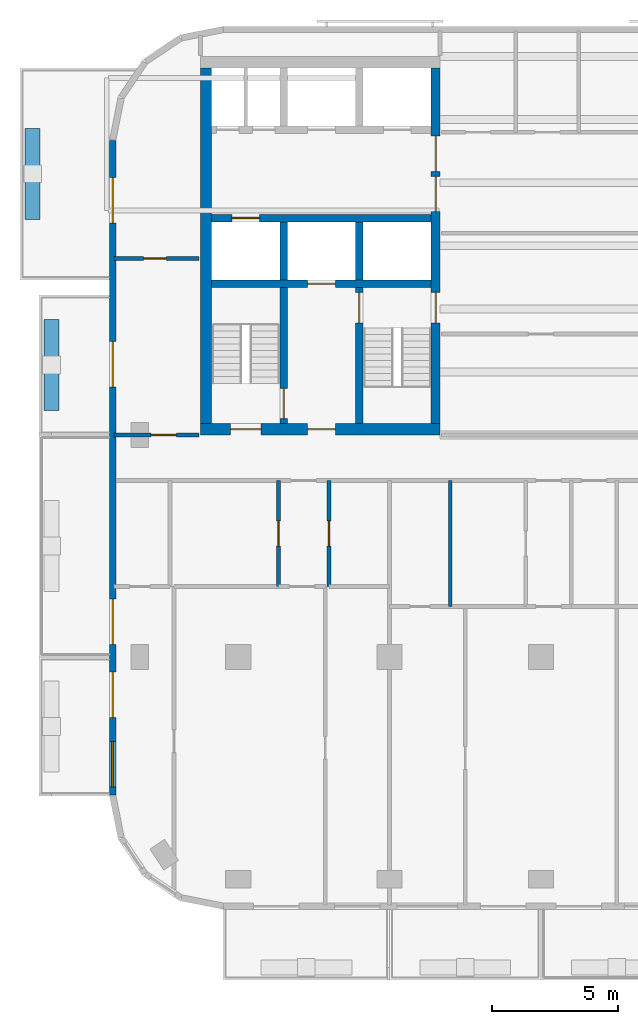
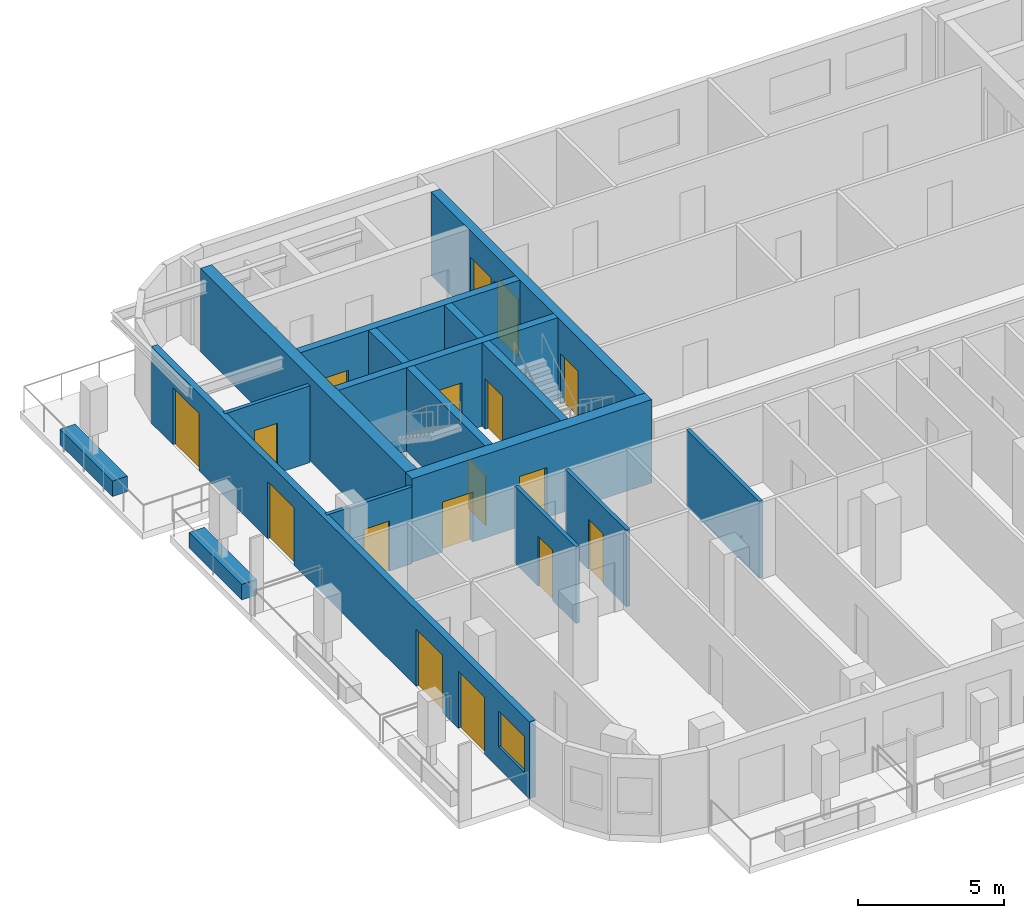
# One storey, part 3 of 11: 17 doors, 17 walls, 1 window, 18 openings.
"""IFC4 building model written with IfcOpenShell, lengths in metres."""

from ifc_helpers import new_model, si_unit, direction, frame, frame_2d, origin, place, context, subcontext, project, spatial, rectangle, extrude, material, layer, layer_set, type_object, element, fill, save


model = new_model("IFC4")

# Units and contexts
model_context = context("Model", 3, precision=1e-05, world=origin(), true_north=direction((0.0, 1.0)))
body_context = subcontext(model_context, "Body", "Model", "MODEL_VIEW")
ifc_project = project(units=[si_unit("LENGTHUNIT", "METRE"), si_unit("AREAUNIT", "SQUARE_METRE"), si_unit("VOLUMEUNIT", "CUBIC_METRE"), si_unit("PLANEANGLEUNIT", "RADIAN"), si_unit("MASSUNIT", "GRAM", prefix="KILO")], contexts=[model_context])

# Site, building, storey
site_placement = place(None, origin())
site = spatial("IfcSite", under=ifc_project, at=site_placement, CompositionType="ELEMENT")
building_placement = place(site_placement, origin())
building = spatial("IfcBuilding", under=site, at=building_placement, Name="Torana Hotel and Residences", CompositionType="ELEMENT")
storey_placement = place(building_placement, frame((0.0, 0.0, 287.60009765625)))
storey = spatial("IfcBuildingStorey", under=building, at=storey_placement, Name="L76", CompositionType="ELEMENT", Elevation=287.60009765625)

# Wall, opening, door
ifc_material_1 = material(Name="Concrete C60/75", Category="concrete")
ifc_layer_1 = layer(ifc_material_1, 0.300048828125)
ifc_layer_set_1 = layer_set([ifc_layer_1], Name="CORE WALL 300 C60/75")
wall_type_1 = type_object("IfcWallType", Name="CORE WALL 300 C60/75", PredefinedType="SHEAR", material=ifc_layer_set_1)
wall_1_placement = place(storey_placement, frame((-19.050048828125, -6.39990234375, 0.0), z_axis=(0.0, 0.0, 1.0), x_axis=(1.0, 0.0, 0.0)))
wall_1 = element("IfcWall", 1, at=wall_1_placement, inside=storey, type_object=wall_type_1, Name="Core wall W row-S", PredefinedType="SHEAR", context=body_context, shape_type="SweptSolid", body=[
    extrude(rectangle(XDim=8.699951171875, YDim=0.300048828125, at=frame_2d((4.35009765625, 0.0))), origin(), (0.0, 0.0, 1.0), 3.5),
])
opening_1_placement = place(wall_1_placement, frame((0.800048828125, 0.0, 0.0)))
opening_1 = element("IfcOpeningElement", 2, at=opening_1_placement, cuts=wall_1, Name="Opening LD", PredefinedType="OPENING", context=body_context, shape_type="SweptSolid", body=[
    extrude(rectangle(XDim=1.10009765625, YDim=2.10009765625, at=frame_2d((0.550048828125, 1.050048828125))), frame((0.0, 0.159912109375, 0.0), z_axis=(0.0, -1.0, 0.0), x_axis=(1.0, 0.0, 0.0)), (0.0, 0.0, 1.0), 0.320068359375),
])
ifc_material_2 = material(Name="Stainless steel 316", Category="steel")
door_type_1 = type_object("IfcDoorType", Name="LIFT LANDING DOOR LD 1100x2100", OperationType="DOUBLE_DOOR_SLIDING", PredefinedType="USERDEFINED", material=ifc_material_2)
door_1_placement = place(opening_1_placement, origin())
door_1 = element("IfcDoor", 3, at=door_1_placement, inside=storey, type_object=door_type_1, Name="Lift landing door SV1 L76", ObjectType="LIFT LANDING DOOR", OperationType="DOUBLE_DOOR_SLIDING", OverallHeight=2.10009765625, OverallWidth=1.10009765625, PredefinedType="USERDEFINED", context=body_context, shape_type="SweptSolid", body=[
    extrude(rectangle(XDim=1.10009765625, YDim=2.10009765625, at=frame_2d((0.550048828125, 1.050048828125))), frame((0.0, 0.02490234375, 0.0), z_axis=(0.0, -1.0, 0.0), x_axis=(1.0, 0.0, 0.0)), (0.0, 0.0, 1.0), 0.050048828125),
])
fill(opening_1, door_1)

wall_2_placement = place(storey_placement, frame((-19.050048828125, -9.0, 0.0), z_axis=(0.0, 0.0, 1.0), x_axis=(1.0, 0.0, 0.0)))
wall_2 = element("IfcWall", 4, at=wall_2_placement, inside=storey, type_object=wall_type_1, Name="Core wall W band", PredefinedType="SHEAR", context=body_context, shape_type="SweptSolid", body=[
    extrude(rectangle(XDim=8.699951171875, YDim=0.300048828125, at=frame_2d((4.35009765625, 0.0))), origin(), (0.0, 0.0, 1.0), 3.5),
])
opening_2_placement = place(wall_2_placement, frame((3.800048828125, 0.0, 0.0)))
opening_2 = element("IfcOpeningElement", 5, at=opening_2_placement, cuts=wall_2, Name="Opening LD", PredefinedType="OPENING", context=body_context, shape_type="SweptSolid", body=[
    extrude(rectangle(XDim=1.10009765625, YDim=2.10009765625, at=frame_2d((0.550048828125, 1.050048828125))), frame((0.0, 0.159912109375, 0.0), z_axis=(0.0, -1.0, 0.0), x_axis=(1.0, 0.0, 0.0)), (0.0, 0.0, 1.0), 0.320068359375),
])
door_2_placement = place(opening_2_placement, origin())
door_2 = element("IfcDoor", 6, at=door_2_placement, inside=storey, type_object=door_type_1, Name="Lift landing door FF1 L76", ObjectType="LIFT LANDING DOOR", OperationType="DOUBLE_DOOR_SLIDING", OverallHeight=2.10009765625, OverallWidth=1.10009765625, PredefinedType="USERDEFINED", context=body_context, shape_type="SweptSolid", body=[
    extrude(rectangle(XDim=1.10009765625, YDim=2.10009765625, at=frame_2d((0.550048828125, 1.050048828125))), frame((0.0, 0.02490234375, 0.0), z_axis=(0.0, -1.0, 0.0), x_axis=(1.0, 0.0, 0.0)), (0.0, 0.0, 1.0), 0.050048828125),
])
fill(opening_2, door_2)

# Wall
wall_3_placement = place(storey_placement, frame((-13.199951171875, -8.85009765625, 0.0), z_axis=(0.0, 0.0, 1.0), x_axis=(0.0, 1.0, 0.0)))
element("IfcWall", 7, at=wall_3_placement, inside=storey, type_object=wall_type_1, Name="Core wall W x3.05-S", PredefinedType="SHEAR", context=body_context, shape_type="SweptSolid", body=[
    extrude(rectangle(XDim=2.300048828125, YDim=0.300048828125, at=frame_2d((1.14990234375, 0.0))), origin(), (0.0, 0.0, 1.0), 3.5),
])

# Wall, opening, door
wall_4_placement = place(storey_placement, frame((-13.199951171875, -14.550048828125, 0.0), z_axis=(0.0, 0.0, 1.0), x_axis=(0.0, 1.0, 0.0)))
wall_4 = element("IfcWall", 8, at=wall_4_placement, inside=storey, type_object=wall_type_1, Name="Core wall W x3.05-band", PredefinedType="SHEAR", context=body_context, shape_type="SweptSolid", body=[
    extrude(rectangle(XDim=5.400146484375, YDim=0.300048828125, at=frame_2d((2.7001953125, 0.0))), origin(), (0.0, 0.0, 1.0), 3.5),
])
opening_3_placement = place(wall_4_placement, frame((4.0, 0.0, 0.0)))
opening_3 = element("IfcOpeningElement", 9, at=opening_3_placement, cuts=wall_4, Name="Opening L76-08", PredefinedType="OPENING", context=body_context, shape_type="SweptSolid", body=[
    extrude(rectangle(XDim=1.199951171875, YDim=2.10009765625, at=frame_2d((0.60009765625, 1.050048828125))), frame((0.0, 0.159912109375, 0.0), z_axis=(0.0, -1.0, 0.0), x_axis=(1.0, 0.0, 0.0)), (0.0, 0.0, 1.0), 0.320068359375),
])
ifc_material_3 = material(Name="Steel S235", Category="steel")
door_type_2 = type_object("IfcDoorType", Name="STAIR FIRE DOOR D3 1200x2100", OperationType="SINGLE_SWING_LEFT", PredefinedType="DOOR", material=ifc_material_3)
door_3_placement = place(opening_3_placement, frame((0.60009765625, 0.0, 0.0), z_axis=(0.0, 0.0, 1.0), x_axis=(-1.0, 0.0, 0.0)))
door_3 = element("IfcDoor", 10, at=door_3_placement, inside=storey, type_object=door_type_2, Name="Stair-A-lobby door L76", OperationType="SINGLE_SWING_RIGHT", OverallHeight=2.10009765625, OverallWidth=1.199951171875, PredefinedType="DOOR", context=body_context, shape_type="SweptSolid", body=[
    extrude(rectangle(XDim=1.199951171875, YDim=2.10009765625, at=frame_2d((0.0, 1.050048828125))), frame((0.0, -0.02490234375, 0.0), z_axis=(0.0, 1.0, 0.0), x_axis=(-1.0, 0.0, 0.0)), (0.0, 0.0, 1.0), 0.050048828125),
])
fill(opening_3, door_3)

# Wall
wall_5_placement = place(storey_placement, frame((-16.199951171875, -8.85009765625, 0.0), z_axis=(0.0, 0.0, 1.0), x_axis=(0.0, 1.0, 0.0)))
element("IfcWall", 11, at=wall_5_placement, inside=storey, type_object=wall_type_1, Name="Core wall W x6.05-S", PredefinedType="SHEAR", context=body_context, shape_type="SweptSolid", body=[
    extrude(rectangle(XDim=2.300048828125, YDim=0.300048828125, at=frame_2d((1.14990234375, 0.0))), origin(), (0.0, 0.0, 1.0), 3.5),
])

# Wall, opening, door
wall_6_placement = place(storey_placement, frame((-16.199951171875, -14.550048828125, 0.0), z_axis=(0.0, 0.0, 1.0), x_axis=(0.0, 1.0, 0.0)))
wall_6 = element("IfcWall", 12, at=wall_6_placement, inside=storey, type_object=wall_type_1, Name="Core wall W x6.05-band", PredefinedType="SHEAR", context=body_context, shape_type="SweptSolid", body=[
    extrude(rectangle(XDim=5.400146484375, YDim=0.300048828125, at=frame_2d((2.7001953125, 0.0))), origin(), (0.0, 0.0, 1.0), 3.5),
])
opening_4_placement = place(wall_6_placement, frame((0.199951171875, 0.0, 0.0)))
opening_4 = element("IfcOpeningElement", 13, at=opening_4_placement, cuts=wall_6, Name="Opening L76-09", PredefinedType="OPENING", context=body_context, shape_type="SweptSolid", body=[
    extrude(rectangle(XDim=1.199951171875, YDim=2.10009765625, at=frame_2d((0.60009765625, 1.050048828125))), frame((0.0, 0.159912109375, 0.0), z_axis=(0.0, -1.0, 0.0), x_axis=(1.0, 0.0, 0.0)), (0.0, 0.0, 1.0), 0.320068359375),
])
door_4_placement = place(opening_4_placement, origin())
door_4 = element("IfcDoor", 14, at=door_4_placement, inside=storey, type_object=door_type_2, Name="Stair-B-lobby door L76", OperationType="SINGLE_SWING_RIGHT", OverallHeight=2.10009765625, OverallWidth=1.199951171875, PredefinedType="DOOR", context=body_context, shape_type="SweptSolid", body=[
    extrude(rectangle(XDim=1.199951171875, YDim=2.10009765625, at=frame_2d((0.60009765625, 1.050048828125))), frame((0.0, 0.02490234375, 0.0), z_axis=(0.0, -1.0, 0.0), x_axis=(1.0, 0.0, 0.0)), (0.0, 0.0, 1.0), 0.050048828125),
])
fill(opening_4, door_4)

# Wall, openings, doors
ifc_material_4 = material(Name="Concrete C60/75", Category="concrete")
ifc_layer_2 = layer(ifc_material_4, 0.35009765625)
ifc_layer_set_2 = layer_set([ifc_layer_2], Name="CORE WALL 350 C60/75")
wall_type_2 = type_object("IfcWallType", Name="CORE WALL 350 C60/75", PredefinedType="SHEAR", material=ifc_layer_set_2)
wall_7_placement = place(storey_placement, frame((-10.175048828125, -14.550048828125, 0.0), z_axis=(0.0, 0.0, 1.0), x_axis=(0.0, 1.0, 0.0)))
wall_7 = element("IfcWall", 15, at=wall_7_placement, inside=storey, type_object=wall_type_2, Name="Core wall W arch", PredefinedType="SHEAR", context=body_context, shape_type="SweptSolid", body=[
    extrude(rectangle(XDim=14.10009765625, YDim=0.35009765625, at=frame_2d((7.050048828125, 0.0))), origin(), (0.0, 0.0, 1.0), 3.5),
])
opening_5_placement = place(wall_7_placement, frame((8.39990234375, 0.0, 0.0)))
opening_5 = element("IfcOpeningElement", 16, at=opening_5_placement, cuts=wall_7, Name="Opening L76-01", PredefinedType="OPENING", context=body_context, shape_type="SweptSolid", body=[
    extrude(rectangle(XDim=1.39990234375, YDim=2.39990234375, at=frame_2d((0.699951171875, 1.199951171875))), frame((0.0, 0.18505859375, 0.0), z_axis=(0.0, -1.0, 0.0), x_axis=(1.0, 0.0, 0.0)), (0.0, 0.0, 1.0), 0.3701171875),
])
opening_6_placement = place(wall_7_placement, frame((10.0, 0.0, 0.0)))
opening_6 = element("IfcOpeningElement", 17, at=opening_6_placement, cuts=wall_7, Name="Opening L76-02", PredefinedType="OPENING", context=body_context, shape_type="SweptSolid", body=[
    extrude(rectangle(XDim=1.39990234375, YDim=2.39990234375, at=frame_2d((0.699951171875, 1.199951171875))), frame((0.0, 0.18505859375, 0.0), z_axis=(0.0, -1.0, 0.0), x_axis=(1.0, 0.0, 0.0)), (0.0, 0.0, 1.0), 0.3701171875),
])
opening_7_placement = place(wall_7_placement, frame((4.0, 0.0, 0.0)))
opening_7 = element("IfcOpeningElement", 18, at=opening_7_placement, cuts=wall_7, Name="Opening L76-03", PredefinedType="OPENING", context=body_context, shape_type="SweptSolid", body=[
    extrude(rectangle(XDim=1.199951171875, YDim=2.10009765625, at=frame_2d((0.60009765625, 1.050048828125))), frame((0.0, 0.18505859375, 0.0), z_axis=(0.0, -1.0, 0.0), x_axis=(1.0, 0.0, 0.0)), (0.0, 0.0, 1.0), 0.3701171875),
])
ifc_material_5 = material(Name="Steel S235", Category="steel")
door_type_3 = type_object("IfcDoorType", Name="LOBBY FIRE DOOR D4 1400x2400", OperationType="DOUBLE_DOOR_SINGLE_SWING", PredefinedType="DOOR", material=ifc_material_5)
door_5_placement = place(opening_5_placement, origin())
door_5 = element("IfcDoor", 19, at=door_5_placement, inside=storey, type_object=door_type_3, Name="Lobby-1 door L76", OperationType="DOUBLE_DOOR_SINGLE_SWING", OverallHeight=2.39990234375, OverallWidth=1.39990234375, PredefinedType="DOOR", context=body_context, shape_type="SweptSolid", body=[
    extrude(rectangle(XDim=1.39990234375, YDim=2.39990234375, at=frame_2d((0.699951171875, 1.199951171875))), frame((0.0, 0.02490234375, 0.0), z_axis=(0.0, -1.0, 0.0), x_axis=(1.0, 0.0, 0.0)), (0.0, 0.0, 1.0), 0.050048828125),
])
fill(opening_5, door_5)
door_6_placement = place(opening_6_placement, origin())
door_6 = element("IfcDoor", 20, at=door_6_placement, inside=storey, type_object=door_type_3, Name="Lobby-2 door L76", OperationType="DOUBLE_DOOR_SINGLE_SWING", OverallHeight=2.39990234375, OverallWidth=1.39990234375, PredefinedType="DOOR", context=body_context, shape_type="SweptSolid", body=[
    extrude(rectangle(XDim=1.39990234375, YDim=2.39990234375, at=frame_2d((0.699951171875, 1.199951171875))), frame((0.0, 0.02490234375, 0.0), z_axis=(0.0, -1.0, 0.0), x_axis=(1.0, 0.0, 0.0)), (0.0, 0.0, 1.0), 0.050048828125),
])
fill(opening_6, door_6)
door_7_placement = place(opening_7_placement, origin())
door_7 = element("IfcDoor", 21, at=door_7_placement, inside=storey, type_object=door_type_2, Name="Stair-A door L76", OperationType="SINGLE_SWING_LEFT", OverallHeight=2.10009765625, OverallWidth=1.199951171875, PredefinedType="DOOR", context=body_context, shape_type="SweptSolid", body=[
    extrude(rectangle(XDim=1.199951171875, YDim=2.10009765625, at=frame_2d((0.60009765625, 1.050048828125))), frame((0.0, 0.02490234375, 0.0), z_axis=(0.0, -1.0, 0.0), x_axis=(1.0, 0.0, 0.0)), (0.0, 0.0, 1.0), 0.050048828125),
])
fill(opening_7, door_7)

ifc_material_6 = material(Name="Concrete C60/75", Category="concrete")
ifc_layer_3 = layer(ifc_material_6, 0.449951171875)
ifc_layer_set_3 = layer_set([ifc_layer_3], Name="CORE WALL 450 C60/75")
wall_type_3 = type_object("IfcWallType", Name="CORE WALL 450 C60/75", PredefinedType="SHEAR", material=ifc_layer_set_3)
wall_8_placement = place(storey_placement, frame((-19.5, -14.77490234375, 0.0), z_axis=(0.0, 0.0, 1.0), x_axis=(1.0, 0.0, 0.0)))
wall_8 = element("IfcWall", 22, at=wall_8_placement, inside=storey, type_object=wall_type_3, Name="Core wall W front", PredefinedType="SHEAR", context=body_context, shape_type="SweptSolid", body=[
    extrude(rectangle(XDim=9.5, YDim=0.449951171875, at=frame_2d((4.75, 0.0))), origin(), (0.0, 0.0, 1.0), 3.5),
])
opening_8_placement = place(wall_8_placement, frame((1.199951171875, 0.0, 0.0)))
opening_8 = element("IfcOpeningElement", 23, at=opening_8_placement, cuts=wall_8, Name="Opening L76-04", PredefinedType="OPENING", context=body_context, shape_type="SweptSolid", body=[
    extrude(rectangle(XDim=1.199951171875, YDim=2.10009765625, at=frame_2d((0.60009765625, 1.050048828125))), frame((0.0, 0.23486328125, 0.0), z_axis=(0.0, -1.0, 0.0), x_axis=(1.0, 0.0, 0.0)), (0.0, 0.0, 1.0), 0.469970703125),
])
opening_9_placement = place(wall_8_placement, frame((4.25, 0.0, 0.0)))
opening_9 = element("IfcOpeningElement", 24, at=opening_9_placement, cuts=wall_8, Name="Opening L76-05", PredefinedType="OPENING", context=body_context, shape_type="SweptSolid", body=[
    extrude(rectangle(XDim=1.10009765625, YDim=2.10009765625, at=frame_2d((0.550048828125, 1.050048828125))), frame((0.0, 0.23486328125, 0.0), z_axis=(0.0, -1.0, 0.0), x_axis=(1.0, 0.0, 0.0)), (0.0, 0.0, 1.0), 0.469970703125),
])
ifc_material_7 = material(Name="Steel S235", Category="steel")
door_type_4 = type_object("IfcDoorType", Name="FIRE-FIGHTING LOBBY DOOR D8 1100x2100", OperationType="SINGLE_SWING_LEFT", PredefinedType="DOOR", material=ifc_material_7)
door_8_placement = place(opening_9_placement, origin())
door_8 = element("IfcDoor", 25, at=door_8_placement, inside=storey, type_object=door_type_4, Name="FF-lobby door L76", OperationType="SINGLE_SWING_RIGHT", OverallHeight=2.10009765625, OverallWidth=1.10009765625, PredefinedType="DOOR", context=body_context, shape_type="SweptSolid", body=[
    extrude(rectangle(XDim=1.10009765625, YDim=2.10009765625, at=frame_2d((0.550048828125, 1.050048828125))), frame((0.0, 0.02490234375, 0.0), z_axis=(0.0, -1.0, 0.0), x_axis=(1.0, 0.0, 0.0)), (0.0, 0.0, 1.0), 0.050048828125),
])
fill(opening_9, door_8)
door_9_placement = place(opening_8_placement, origin())
door_9 = element("IfcDoor", 26, at=door_9_placement, inside=storey, type_object=door_type_2, Name="Stair-B door L76", OperationType="SINGLE_SWING_RIGHT", OverallHeight=2.10009765625, OverallWidth=1.199951171875, PredefinedType="DOOR", context=body_context, shape_type="SweptSolid", body=[
    extrude(rectangle(XDim=1.199951171875, YDim=2.10009765625, at=frame_2d((0.60009765625, 1.050048828125))), frame((0.0, 0.02490234375, 0.0), z_axis=(0.0, -1.0, 0.0), x_axis=(1.0, 0.0, 0.0)), (0.0, 0.0, 1.0), 0.050048828125),
])
fill(opening_8, door_9)

# Wall
wall_9_placement = place(storey_placement, frame((-19.27490234375, -14.550048828125, 0.0), z_axis=(0.0, 0.0, 1.0), x_axis=(0.0, 1.0, 0.0)))
element("IfcWall", 27, at=wall_9_placement, inside=storey, type_object=wall_type_3, Name="Core wall W outer", PredefinedType="SHEAR", context=body_context, shape_type="SweptSolid", body=[
    extrude(rectangle(XDim=14.10009765625, YDim=0.449951171875, at=frame_2d((7.050048828125, 0.0))), origin(), (0.0, 0.0, 1.0), 3.5),
])

# Wall, openings, doors, window
ifc_material_8 = material(Name="Black aluminium composite panel", Category="aluminium")
ifc_layer_4 = layer(ifc_material_8, 0.00390625, Name="Cladding", Category="cladding")
ifc_material_9 = material(Name="Ventilated air cavity")
ifc_layer_5 = layer(ifc_material_9, 0.0400390625, Name="Ventilated cavity", Category="cavity")
ifc_material_10 = material(Name="Mineral wool insulation")
ifc_layer_6 = layer(ifc_material_10, 0.090087890625, Name="Insulation", Category="insulation")
ifc_material_11 = material(Name="Steel S280GD", Category="steel")
ifc_layer_7 = layer(ifc_material_11, 0.092041015625, Name="Steel stud frame", Category="structure")
ifc_material_12 = material(Name="Fire rated plasterboard")
ifc_layer_8 = layer(ifc_material_12, 0.011962890625, Name="Inner board", Category="finish")
ifc_layer_9 = layer(ifc_material_12, 0.011962890625, Name="Second board", Category="finish")
ifc_layer_set_4 = layer_set([ifc_layer_4, ifc_layer_5, ifc_layer_6, ifc_layer_7, ifc_layer_8, ifc_layer_9], Name="EW1 EXTERNAL WALL BLACK METAL CLAD 250")
wall_type_4 = type_object("IfcWallType", Name="EW1 EXTERNAL WALL BLACK METAL CLAD 250", PredefinedType="SOLIDWALL", material=ifc_layer_set_4)
wall_10_placement = place(storey_placement, frame((-22.97509765625, -3.32470703125, 0.0), z_axis=(0.0, 0.0, 1.0), x_axis=(0.0, -1.0, 0.0)))
wall_10 = element("IfcWall", 28, at=wall_10_placement, inside=storey, type_object=wall_type_4, Name="External wall L76 e0.9", PredefinedType="SOLIDWALL", context=body_context, shape_type="SweptSolid", body=[
    extrude(rectangle(XDim=25.95068359375, YDim=0.25, at=frame_2d((12.975341796875, 0.0))), origin(), (0.0, 0.0, 1.0), 3.219970703125),
])
opening_10_placement = place(wall_10_placement, frame((1.475341796875, 0.0, 0.0)))
opening_10 = element("IfcOpeningElement", 29, at=opening_10_placement, cuts=wall_10, Name="Opening L76-E11", PredefinedType="OPENING", context=body_context, shape_type="SweptSolid", body=[
    extrude(rectangle(XDim=1.800048828125, YDim=2.39990234375, at=frame_2d((0.89990234375, 1.199951171875))), frame((0.0, 0.135009765625, 0.0), z_axis=(0.0, -1.0, 0.0), x_axis=(1.0, 0.0, 0.0)), (0.0, 0.0, 1.0), 0.27001953125),
])
opening_11_placement = place(wall_10_placement, frame((7.975341796875, 0.0, 0.0)))
opening_11 = element("IfcOpeningElement", 30, at=opening_11_placement, cuts=wall_10, Name="Opening L76-E12", PredefinedType="OPENING", context=body_context, shape_type="SweptSolid", body=[
    extrude(rectangle(XDim=1.800048828125, YDim=2.39990234375, at=frame_2d((0.89990234375, 1.199951171875))), frame((0.0, 0.135009765625, 0.0), z_axis=(0.0, -1.0, 0.0), x_axis=(1.0, 0.0, 0.0)), (0.0, 0.0, 1.0), 0.27001953125),
])
opening_12_placement = place(wall_10_placement, frame((18.17529296875, 0.0, 0.0)))
opening_12 = element("IfcOpeningElement", 31, at=opening_12_placement, cuts=wall_10, Name="Opening L76-E13", PredefinedType="OPENING", context=body_context, shape_type="SweptSolid", body=[
    extrude(rectangle(XDim=1.800048828125, YDim=2.39990234375, at=frame_2d((0.89990234375, 1.199951171875))), frame((0.0, 0.135009765625, 0.0), z_axis=(0.0, -1.0, 0.0), x_axis=(1.0, 0.0, 0.0)), (0.0, 0.0, 1.0), 0.27001953125),
])
opening_13_placement = place(wall_10_placement, frame((21.075439453125, 0.0, 0.0)))
opening_13 = element("IfcOpeningElement", 32, at=opening_13_placement, cuts=wall_10, Name="Opening L76-E14", PredefinedType="OPENING", context=body_context, shape_type="SweptSolid", body=[
    extrude(rectangle(XDim=1.800048828125, YDim=2.39990234375, at=frame_2d((0.89990234375, 1.199951171875))), frame((0.0, 0.135009765625, 0.0), z_axis=(0.0, -1.0, 0.0), x_axis=(1.0, 0.0, 0.0)), (0.0, 0.0, 1.0), 0.27001953125),
])
opening_14_placement = place(wall_10_placement, frame((23.825439453125, 0.0, 0.89990234375)))
opening_14 = element("IfcOpeningElement", 33, at=opening_14_placement, cuts=wall_10, Name="Opening W4", PredefinedType="OPENING", context=body_context, shape_type="SweptSolid", body=[
    extrude(rectangle(XDim=1.800048828125, YDim=1.5, at=frame_2d((0.89990234375, 0.75))), frame((0.0, 0.135009765625, 0.0), z_axis=(0.0, -1.0, 0.0), x_axis=(1.0, 0.0, 0.0)), (0.0, 0.0, 1.0), 0.27001953125),
])
ifc_material_13 = material(Name="Dark glass in black aluminium frame", Category="aluminium")
door_type_5 = type_object("IfcDoorType", Name="DB1 BALCONY DOOR 1800x2400", OperationType="DOUBLE_DOOR_SINGLE_SWING", PredefinedType="DOOR", material=ifc_material_13)
door_10_placement = place(opening_10_placement, origin())
door_10 = element("IfcDoor", 34, at=door_10_placement, inside=storey, type_object=door_type_5, Name="Balcony door L76", OperationType="DOUBLE_DOOR_SINGLE_SWING", OverallHeight=2.39990234375, OverallWidth=1.800048828125, PredefinedType="DOOR", context=body_context, shape_type="SweptSolid", body=[
    extrude(rectangle(XDim=1.800048828125, YDim=2.39990234375, at=frame_2d((0.89990234375, 1.199951171875))), frame((0.0, 0.02490234375, 0.0), z_axis=(0.0, -1.0, 0.0), x_axis=(1.0, 0.0, 0.0)), (0.0, 0.0, 1.0), 0.050048828125),
])
fill(opening_10, door_10)
door_11_placement = place(opening_11_placement, origin())
door_11 = element("IfcDoor", 35, at=door_11_placement, inside=storey, type_object=door_type_5, Name="Balcony door L76", OperationType="DOUBLE_DOOR_SINGLE_SWING", OverallHeight=2.39990234375, OverallWidth=1.800048828125, PredefinedType="DOOR", context=body_context, shape_type="SweptSolid", body=[
    extrude(rectangle(XDim=1.800048828125, YDim=2.39990234375, at=frame_2d((0.89990234375, 1.199951171875))), frame((0.0, 0.02490234375, 0.0), z_axis=(0.0, -1.0, 0.0), x_axis=(1.0, 0.0, 0.0)), (0.0, 0.0, 1.0), 0.050048828125),
])
fill(opening_11, door_11)
door_12_placement = place(opening_12_placement, origin())
door_12 = element("IfcDoor", 36, at=door_12_placement, inside=storey, type_object=door_type_5, Name="Balcony door L76", OperationType="DOUBLE_DOOR_SINGLE_SWING", OverallHeight=2.39990234375, OverallWidth=1.800048828125, PredefinedType="DOOR", context=body_context, shape_type="SweptSolid", body=[
    extrude(rectangle(XDim=1.800048828125, YDim=2.39990234375, at=frame_2d((0.89990234375, 1.199951171875))), frame((0.0, 0.02490234375, 0.0), z_axis=(0.0, -1.0, 0.0), x_axis=(1.0, 0.0, 0.0)), (0.0, 0.0, 1.0), 0.050048828125),
])
fill(opening_12, door_12)
door_13_placement = place(opening_13_placement, origin())
door_13 = element("IfcDoor", 37, at=door_13_placement, inside=storey, type_object=door_type_5, Name="Balcony door L76", OperationType="DOUBLE_DOOR_SINGLE_SWING", OverallHeight=2.39990234375, OverallWidth=1.800048828125, PredefinedType="DOOR", context=body_context, shape_type="SweptSolid", body=[
    extrude(rectangle(XDim=1.800048828125, YDim=2.39990234375, at=frame_2d((0.89990234375, 1.199951171875))), frame((0.0, 0.02490234375, 0.0), z_axis=(0.0, -1.0, 0.0), x_axis=(1.0, 0.0, 0.0)), (0.0, 0.0, 1.0), 0.050048828125),
])
fill(opening_13, door_13)
ifc_material_14 = material(Name="Dark glass in black aluminium frame", Category="aluminium")
window_type = type_object("IfcWindowType", Name="W4 RESIDENCE WINDOW NARROW 1800x1500", PartitioningType="SINGLE_PANEL", PredefinedType="WINDOW", material=ifc_material_14)
window_placement = place(opening_14_placement, origin())
window = element("IfcWindow", 38, at=window_placement, inside=storey, type_object=window_type, Name="Window L76", OverallHeight=1.5, OverallWidth=1.800048828125, PartitioningType="SINGLE_PANEL", PredefinedType="WINDOW", context=body_context, shape_type="SweptSolid", body=[
    extrude(rectangle(XDim=1.800048828125, YDim=1.5, at=frame_2d((0.89990234375, 0.75))), frame((0.0, 0.030029296875, 0.0), z_axis=(0.0, -1.0, 0.0), x_axis=(1.0, 0.0, 0.0)), (0.0, 0.0, 1.0), 0.06005859375),
])
fill(opening_14, window)

# Wall, opening, door
ifc_material_15 = material(Name="Gypsum plaster")
ifc_layer_10 = layer(ifc_material_15, 0.014892578125, Name="Plaster", Category="finish")
ifc_material_16 = material(Name="Concrete blockwork", Category="masonry")
ifc_layer_11 = layer(ifc_material_16, 0.1201171875, Name="Blockwork", Category="structure")
ifc_layer_12 = layer(ifc_material_15, 0.014892578125, Name="Plaster", Category="finish")
ifc_layer_set_5 = layer_set([ifc_layer_10, ifc_layer_11, ifc_layer_12], Name="FIRE PARTITION 150 BLOCKWORK")
wall_type_5 = type_object("IfcWallType", Name="FIRE PARTITION 150 BLOCKWORK", PredefinedType="PARTITIONING", material=ifc_layer_set_5)
wall_11_placement = place(storey_placement, frame((-14.39990234375, -21.0, 0.0), z_axis=(0.0, 0.0, 1.0), x_axis=(0.0, 1.0, 0.0)))
wall_11 = element("IfcWall", 39, at=wall_11_placement, inside=storey, type_object=wall_type_5, Name="Partition L76", PredefinedType="PARTITIONING", context=body_context, shape_type="SweptSolid", body=[
    extrude(rectangle(XDim=4.199951171875, YDim=0.14990234375, at=frame_2d((2.10009765625, 0.0))), origin(), (0.0, 0.0, 1.0), 3.219970703125),
])
opening_15_placement = place(wall_11_placement, frame((1.60009765625, 0.0, 0.0)))
opening_15 = element("IfcOpeningElement", 40, at=opening_15_placement, cuts=wall_11, Name="Opening L76-45", PredefinedType="OPENING", context=body_context, shape_type="SweptSolid", body=[
    extrude(rectangle(XDim=1.0, YDim=2.10009765625, at=frame_2d((0.5, 1.050048828125))), frame((0.0, 0.0849609375, 0.0), z_axis=(0.0, -1.0, 0.0), x_axis=(1.0, 0.0, 0.0)), (0.0, 0.0, 1.0), 0.169921875),
])
ifc_material_17 = material(Name="Steel S235", Category="steel")
door_type_6 = type_object("IfcDoorType", Name="ENTRY FIRE DOOR D6 1000x2100", OperationType="SINGLE_SWING_LEFT", PredefinedType="DOOR", material=ifc_material_17)
door_14_placement = place(opening_15_placement, frame((0.5, 0.0, 0.0), z_axis=(0.0, 0.0, 1.0), x_axis=(-1.0, 0.0, 0.0)))
door_14 = element("IfcDoor", 41, at=door_14_placement, inside=storey, type_object=door_type_6, Name="Door L76", OperationType="SINGLE_SWING_LEFT", OverallHeight=2.10009765625, OverallWidth=1.0, PredefinedType="DOOR", context=body_context, shape_type="SweptSolid", body=[
    extrude(rectangle(XDim=1.0, YDim=2.10009765625, at=frame_2d((0.0, 1.050048828125))), frame((0.0, -0.02490234375, 0.0), z_axis=(0.0, 1.0, 0.0), x_axis=(-1.0, 0.0, 0.0)), (0.0, 0.0, 1.0), 0.050048828125),
])
fill(opening_15, door_14)

wall_12_placement = place(storey_placement, frame((-16.39990234375, -21.0, 0.0), z_axis=(0.0, 0.0, 1.0), x_axis=(0.0, 1.0, 0.0)))
wall_12 = element("IfcWall", 42, at=wall_12_placement, inside=storey, type_object=wall_type_5, Name="Partition L76", PredefinedType="PARTITIONING", context=body_context, shape_type="SweptSolid", body=[
    extrude(rectangle(XDim=4.199951171875, YDim=0.14990234375, at=frame_2d((2.10009765625, 0.0))), origin(), (0.0, 0.0, 1.0), 3.219970703125),
])
opening_16_placement = place(wall_12_placement, frame((1.60009765625, 0.0, 0.0)))
opening_16 = element("IfcOpeningElement", 43, at=opening_16_placement, cuts=wall_12, Name="Opening L76-46", PredefinedType="OPENING", context=body_context, shape_type="SweptSolid", body=[
    extrude(rectangle(XDim=1.0, YDim=2.10009765625, at=frame_2d((0.5, 1.050048828125))), frame((0.0, 0.0849609375, 0.0), z_axis=(0.0, -1.0, 0.0), x_axis=(1.0, 0.0, 0.0)), (0.0, 0.0, 1.0), 0.169921875),
])
door_15_placement = place(opening_16_placement, origin())
door_15 = element("IfcDoor", 44, at=door_15_placement, inside=storey, type_object=door_type_6, Name="Door L76", OperationType="SINGLE_SWING_RIGHT", OverallHeight=2.10009765625, OverallWidth=1.0, PredefinedType="DOOR", context=body_context, shape_type="SweptSolid", body=[
    extrude(rectangle(XDim=1.0, YDim=2.10009765625, at=frame_2d((0.5, 1.050048828125))), frame((0.0, 0.02490234375, 0.0), z_axis=(0.0, -1.0, 0.0), x_axis=(1.0, 0.0, 0.0)), (0.0, 0.0, 1.0), 0.050048828125),
])
fill(opening_16, door_15)

wall_13_placement = place(storey_placement, frame((-22.919921875, -15.0, 0.0), z_axis=(0.0, 0.0, 1.0), x_axis=(1.0, 0.0, 0.0)))
wall_13 = element("IfcWall", 45, at=wall_13_placement, inside=storey, type_object=wall_type_5, Name="Partition L76", PredefinedType="PARTITIONING", context=body_context, shape_type="SweptSolid", body=[
    extrude(rectangle(XDim=3.369873046875, YDim=0.14990234375, at=frame_2d((1.68505859375, 0.0))), origin(), (0.0, 0.0, 1.0), 3.219970703125),
])
opening_17_placement = place(wall_13_placement, frame((1.469970703125, 0.0, 0.0)))
opening_17 = element("IfcOpeningElement", 46, at=opening_17_placement, cuts=wall_13, Name="Opening L76-28", PredefinedType="OPENING", context=body_context, shape_type="SweptSolid", body=[
    extrude(rectangle(XDim=1.0, YDim=2.10009765625, at=frame_2d((0.5, 1.050048828125))), frame((0.0, 0.0849609375, 0.0), z_axis=(0.0, -1.0, 0.0), x_axis=(1.0, 0.0, 0.0)), (0.0, 0.0, 1.0), 0.169921875),
])
ifc_material_18 = material(Name="Steel S235", Category="steel")
door_type_7 = type_object("IfcDoorType", Name="CORE ROOM FIRE DOOR D14 1000x2100", OperationType="SINGLE_SWING_LEFT", PredefinedType="DOOR", material=ifc_material_18)
door_16_placement = place(opening_17_placement, origin())
door_16 = element("IfcDoor", 47, at=door_16_placement, inside=storey, type_object=door_type_7, Name="Door L76", OperationType="SINGLE_SWING_RIGHT", OverallHeight=2.10009765625, OverallWidth=1.0, PredefinedType="DOOR", context=body_context, shape_type="SweptSolid", body=[
    extrude(rectangle(XDim=1.0, YDim=2.10009765625, at=frame_2d((0.5, 1.050048828125))), frame((0.0, 0.02490234375, 0.0), z_axis=(0.0, -1.0, 0.0), x_axis=(1.0, 0.0, 0.0)), (0.0, 0.0, 1.0), 0.050048828125),
])
fill(opening_17, door_16)

# Walls
ifc_material_19 = material(Name="Gypsum plasterboard")
ifc_layer_13 = layer(ifc_material_19, 0.012451171875, Name="Plasterboard", Category="finish")
ifc_layer_14 = layer(ifc_material_19, 0.012451171875, Name="Plasterboard", Category="finish")
ifc_layer_15 = layer(ifc_material_11, 0.10009765625, Name="Steel studs with mineral wool", Category="insulation")
ifc_layer_16 = layer(ifc_material_19, 0.012451171875, Name="Plasterboard", Category="finish")
ifc_layer_17 = layer(ifc_material_19, 0.012451171875, Name="Plasterboard", Category="finish")
ifc_layer_set_6 = layer_set([ifc_layer_13, ifc_layer_14, ifc_layer_15, ifc_layer_16, ifc_layer_17], Name="PARTITION 150 PLASTERBOARD")
wall_type_6 = type_object("IfcWallType", Name="PARTITION 150 PLASTERBOARD", PredefinedType="PARTITIONING", material=ifc_layer_set_6)
wall_14_placement = place(storey_placement, frame((-9.60009765625, -21.800048828125, 0.0), z_axis=(0.0, 0.0, 1.0), x_axis=(0.0, 1.0, 0.0)))
element("IfcWall", 48, at=wall_14_placement, inside=storey, type_object=wall_type_6, Name="Partition L76", PredefinedType="PARTITIONING", context=body_context, shape_type="SweptSolid", body=[
    extrude(rectangle(XDim=5.0, YDim=0.14990234375, at=frame_2d((2.5, 0.0))), origin(), (0.0, 0.0, 1.0), 3.219970703125),
])
ifc_material_20 = material(Name="Concrete C40/50 precast", Category="concrete")
ifc_layer_18 = layer(ifc_material_20, 0.10009765625, Name="Planter shell", Category="structure")
ifc_material_21 = material(Name="Root resistant membrane")
ifc_layer_19 = layer(ifc_material_21, 0.00390625, Name="Waterproofing membrane", Category="membrane")
ifc_material_22 = material(Name="Drainage board with filter fleece")
ifc_layer_20 = layer(ifc_material_22, 0.02001953125, Name="Drainage board", Category="drainage")
ifc_material_23 = material(Name="Growing medium")
ifc_layer_21 = layer(ifc_material_23, 0.47607421875, Name="Planting substrate", Category="soil")
ifc_layer_set_7 = layer_set([ifc_layer_18, ifc_layer_19, ifc_layer_20, ifc_layer_21], Name="PL1 BALCONY PLANTER 600")
wall_type_7 = type_object("IfcWallType", Name="PL1 BALCONY PLANTER 600", PredefinedType="USERDEFINED", material=ifc_layer_set_7)
for number, where, z_axis, x_axis, name in (
    (49, (-25.39990234375, -14.02490234375, 0.0), (0.0, 0.0, 1.0), (0.0, 1.0, 0.0), "Planter 09"),
    (50, (-26.14990234375, -6.449951171875, 0.0), (0.0, 0.0, 1.0), (0.0, 1.0, 0.0), "Planter 10"),
):
    element("IfcWall", number, at=place(storey_placement, frame(where, z_axis=z_axis, x_axis=x_axis)), inside=storey, type_object=wall_type_7, Name=name, ObjectType="PLANTER", PredefinedType="USERDEFINED", context=body_context, shape_type="SweptSolid", body=[
        extrude(rectangle(XDim=3.599853515625, YDim=0.60009765625, at=frame_2d((1.7998046875, 0.0))), origin(), (0.0, 0.0, 1.0), 0.64990234375),
    ])

# Wall, opening, door
ifc_material_24 = material(Name="Ceramic tile on adhesive")
ifc_layer_22 = layer(ifc_material_24, 0.010009765625, Name="Wall tile", Category="finish")
ifc_material_25 = material(Name="Cement render")
ifc_layer_23 = layer(ifc_material_25, 0.010009765625, Name="Render", Category="finish")
ifc_layer_24 = layer(ifc_material_16, 0.110107421875, Name="Blockwork", Category="structure")
ifc_layer_25 = layer(ifc_material_25, 0.010009765625, Name="Render", Category="finish")
ifc_layer_26 = layer(ifc_material_24, 0.010009765625, Name="Wall tile", Category="finish")
ifc_layer_set_8 = layer_set([ifc_layer_22, ifc_layer_23, ifc_layer_24, ifc_layer_25, ifc_layer_26], Name="WC PARTITION 150")
wall_type_8 = type_object("IfcWallType", Name="WC PARTITION 150", PredefinedType="PLUMBINGWALL", material=ifc_layer_set_8)
wall_15_placement = place(storey_placement, frame((-22.919921875, -8.0, 0.0), z_axis=(0.0, 0.0, 1.0), x_axis=(1.0, 0.0, 0.0)))
wall_15 = element("IfcWall", 51, at=wall_15_placement, inside=storey, type_object=wall_type_8, Name="Partition L76", PredefinedType="PLUMBINGWALL", context=body_context, shape_type="SweptSolid", body=[
    extrude(rectangle(XDim=3.369873046875, YDim=0.14990234375, at=frame_2d((1.68505859375, 0.0))), origin(), (0.0, 0.0, 1.0), 3.219970703125),
])
opening_18_placement = place(wall_15_placement, frame((1.169921875, 0.0, 0.0)))
opening_18 = element("IfcOpeningElement", 52, at=opening_18_placement, cuts=wall_15, Name="Opening L76-59", PredefinedType="OPENING", context=body_context, shape_type="SweptSolid", body=[
    extrude(rectangle(XDim=0.89990234375, YDim=2.10009765625, at=frame_2d((0.449951171875, 1.050048828125))), frame((0.0, 0.0849609375, 0.0), z_axis=(0.0, -1.0, 0.0), x_axis=(1.0, 0.0, 0.0)), (0.0, 0.0, 1.0), 0.169921875),
])
ifc_material_26 = material(Name="Timber door, oiled ash", Category="wood")
door_type_8 = type_object("IfcDoorType", Name="ROOM DOOR D7 900x2100", OperationType="SINGLE_SWING_LEFT", PredefinedType="DOOR", material=ifc_material_26)
door_17_placement = place(opening_18_placement, origin())
door_17 = element("IfcDoor", 53, at=door_17_placement, inside=storey, type_object=door_type_8, Name="Door L76", OperationType="SINGLE_SWING_RIGHT", OverallHeight=2.10009765625, OverallWidth=0.89990234375, PredefinedType="DOOR", context=body_context, shape_type="SweptSolid", body=[
    extrude(rectangle(XDim=0.89990234375, YDim=2.10009765625, at=frame_2d((0.449951171875, 1.050048828125))), frame((0.0, 0.02490234375, 0.0), z_axis=(0.0, -1.0, 0.0), x_axis=(1.0, 0.0, 0.0)), (0.0, 0.0, 1.0), 0.050048828125),
])
fill(opening_18, door_17)

save(model, "model.ifc")
